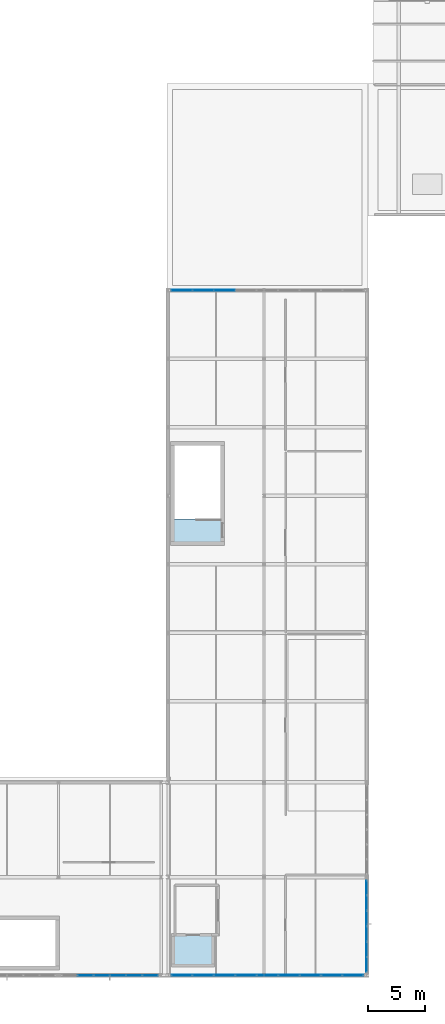
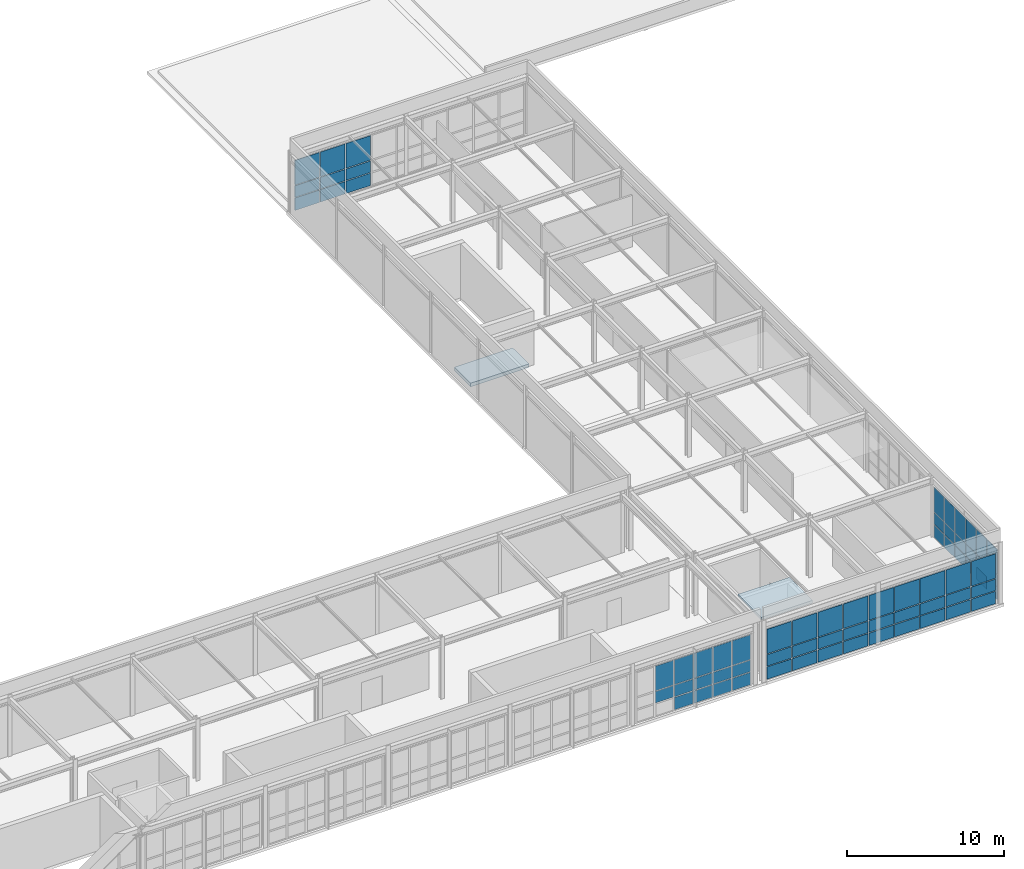
# One storey, part 31 of 38: 68 plates, 2 slabs, 4 elements without a shape of their own.
"""IFC4 building model written with IfcOpenShell, lengths in metres."""

from ifc_helpers import new_model, si_unit, direction, frame, origin, origin_2d, place, context, subcontext, project, spatial, polyline, rectangle, outline, extrude, material, layer, layer_set, type_object, element, aggregate, save


model = new_model("IFC4")

# Units and contexts
model_context = context("Model", 3, precision=1e-05, world=origin(), true_north=direction((0.0, 1.0)))
body_context = subcontext(model_context, "Body", "Model", "MODEL_VIEW")
ifc_project = project(units=[si_unit("LENGTHUNIT", "METRE"), si_unit("AREAUNIT", "SQUARE_METRE"), si_unit("VOLUMEUNIT", "CUBIC_METRE"), si_unit("PLANEANGLEUNIT", "RADIAN"), si_unit("MASSUNIT", "GRAM", prefix="KILO")], contexts=[model_context])

# Site, building, storey
site_placement = place(None, origin())
site = spatial("IfcSite", under=ifc_project, at=site_placement, CompositionType="ELEMENT")
building_placement = place(site_placement, origin())
building = spatial("IfcBuilding", under=site, at=building_placement, Name="Kaldris Quays Convention Centre", CompositionType="ELEMENT")
storey_placement = place(building_placement, frame((0.0, 0.0, 21.60009765625)))
storey = spatial("IfcBuildingStorey", under=building, at=storey_placement, Name="L04", CompositionType="ELEMENT", Elevation=21.60009765625)

# Curtain wall, plates
ifc_material_1 = material(Name="Anodized aluminium AW-6060 and triple glazing", Category="aluminium")
curtain_wall_type_1 = type_object("IfcCurtainWallType", Name="UNITISED CURTAIN WALL CW04", PredefinedType="NOTDEFINED", material=ifc_material_1)
curtain_wall_1_placement = place(storey_placement, origin())
curtain_wall_1 = element("IfcCurtainWall", 1, at=curtain_wall_1_placement, inside=storey, type_object=curtain_wall_type_1, Name="L04 Unitised Curtain Wall CW04 149", PredefinedType="NOTDEFINED")
ifc_material_2 = material(Name="Triple low-E insulated glazing", Category="glass")
plate_type_1 = type_object("IfcPlateType", Name="CURTAIN GLAZING PANEL CWP5", PredefinedType="CURTAIN_PANEL", material=ifc_material_2)
plate_1_placement = place(storey_placement, frame((164.0, 38.93994140625, 0.059814453125), z_axis=(0.0, 0.0, 1.0), x_axis=(0.0, 1.0, 0.0)))
plate_1 = element("IfcPlate", 2, at=plate_1_placement, type_object=plate_type_1, Name="CW04 panel 1.1", PredefinedType="CURTAIN_PANEL", context=body_context, shape_type="SweptSolid", body=[
    extrude(rectangle(XDim=1.260009765625, YDim=0.049072265625, at=origin_2d()), origin(), (0.0, 0.0, 1.0), 0.9599609375),
])
plate_2_placement = place(storey_placement, frame((164.0, 38.93994140625, 1.080078125), z_axis=(0.0, 0.0, 1.0), x_axis=(0.0, 1.0, 0.0)))
plate_2 = element("IfcPlate", 3, at=plate_2_placement, type_object=plate_type_1, Name="CW04 panel 1.2", PredefinedType="CURTAIN_PANEL", context=body_context, shape_type="SweptSolid", body=[
    extrude(rectangle(XDim=1.260009765625, YDim=0.049072265625, at=origin_2d()), origin(), (0.0, 0.0, 1.0), 0.889892578125),
])
plate_3_placement = place(storey_placement, frame((164.0, 38.93994140625, 2.02978515625), z_axis=(0.0, 0.0, 1.0), x_axis=(0.0, 1.0, 0.0)))
plate_3 = element("IfcPlate", 4, at=plate_3_placement, type_object=plate_type_1, Name="CW04 panel 1.3", PredefinedType="CURTAIN_PANEL", context=body_context, shape_type="SweptSolid", body=[
    extrude(rectangle(XDim=1.260009765625, YDim=0.049072265625, at=origin_2d()), origin(), (0.0, 0.0, 1.0), 1.909912109375),
])
plate_4_placement = place(storey_placement, frame((164.0, 40.27490234375, 0.059814453125), z_axis=(0.0, 0.0, 1.0), x_axis=(0.0, 1.0, 0.0)))
plate_4 = element("IfcPlate", 5, at=plate_4_placement, type_object=plate_type_1, Name="CW04 panel 2.1", PredefinedType="CURTAIN_PANEL", context=body_context, shape_type="SweptSolid", body=[
    extrude(rectangle(XDim=1.2900390625, YDim=0.049072265625, at=origin_2d()), origin(), (0.0, 0.0, 1.0), 0.9599609375),
])
plate_5_placement = place(storey_placement, frame((164.0, 40.27490234375, 1.080078125), z_axis=(0.0, 0.0, 1.0), x_axis=(0.0, 1.0, 0.0)))
plate_5 = element("IfcPlate", 6, at=plate_5_placement, type_object=plate_type_1, Name="CW04 panel 2.2", PredefinedType="CURTAIN_PANEL", context=body_context, shape_type="SweptSolid", body=[
    extrude(rectangle(XDim=1.2900390625, YDim=0.049072265625, at=origin_2d()), origin(), (0.0, 0.0, 1.0), 0.889892578125),
])
plate_6_placement = place(storey_placement, frame((164.0, 40.27490234375, 2.02978515625), z_axis=(0.0, 0.0, 1.0), x_axis=(0.0, 1.0, 0.0)))
plate_6 = element("IfcPlate", 7, at=plate_6_placement, type_object=plate_type_1, Name="CW04 panel 2.3", PredefinedType="CURTAIN_PANEL", context=body_context, shape_type="SweptSolid", body=[
    extrude(rectangle(XDim=1.2900390625, YDim=0.049072265625, at=origin_2d()), origin(), (0.0, 0.0, 1.0), 1.909912109375),
])
plate_7_placement = place(storey_placement, frame((164.0, 41.625, 0.059814453125), z_axis=(0.0, 0.0, 1.0), x_axis=(0.0, 1.0, 0.0)))
plate_7 = element("IfcPlate", 8, at=plate_7_placement, type_object=plate_type_1, Name="CW04 panel 3.1", PredefinedType="CURTAIN_PANEL", context=body_context, shape_type="SweptSolid", body=[
    extrude(rectangle(XDim=1.2900390625, YDim=0.049072265625, at=origin_2d()), origin(), (0.0, 0.0, 1.0), 0.9599609375),
])
plate_8_placement = place(storey_placement, frame((164.0, 41.625, 1.080078125), z_axis=(0.0, 0.0, 1.0), x_axis=(0.0, 1.0, 0.0)))
plate_8 = element("IfcPlate", 9, at=plate_8_placement, type_object=plate_type_1, Name="CW04 panel 3.2", PredefinedType="CURTAIN_PANEL", context=body_context, shape_type="SweptSolid", body=[
    extrude(rectangle(XDim=1.2900390625, YDim=0.049072265625, at=origin_2d()), origin(), (0.0, 0.0, 1.0), 0.889892578125),
])
plate_9_placement = place(storey_placement, frame((164.0, 41.625, 2.02978515625), z_axis=(0.0, 0.0, 1.0), x_axis=(0.0, 1.0, 0.0)))
plate_9 = element("IfcPlate", 10, at=plate_9_placement, type_object=plate_type_1, Name="CW04 panel 3.3", PredefinedType="CURTAIN_PANEL", context=body_context, shape_type="SweptSolid", body=[
    extrude(rectangle(XDim=1.2900390625, YDim=0.049072265625, at=origin_2d()), origin(), (0.0, 0.0, 1.0), 1.909912109375),
])
plate_10_placement = place(storey_placement, frame((164.0, 42.97509765625, 0.059814453125), z_axis=(0.0, 0.0, 1.0), x_axis=(0.0, 1.0, 0.0)))
plate_10 = element("IfcPlate", 11, at=plate_10_placement, type_object=plate_type_1, Name="CW04 panel 4.1", PredefinedType="CURTAIN_PANEL", context=body_context, shape_type="SweptSolid", body=[
    extrude(rectangle(XDim=1.2900390625, YDim=0.049072265625, at=origin_2d()), origin(), (0.0, 0.0, 1.0), 0.9599609375),
])
plate_11_placement = place(storey_placement, frame((164.0, 42.97509765625, 1.080078125), z_axis=(0.0, 0.0, 1.0), x_axis=(0.0, 1.0, 0.0)))
plate_11 = element("IfcPlate", 12, at=plate_11_placement, type_object=plate_type_1, Name="CW04 panel 4.2", PredefinedType="CURTAIN_PANEL", context=body_context, shape_type="SweptSolid", body=[
    extrude(rectangle(XDim=1.2900390625, YDim=0.049072265625, at=origin_2d()), origin(), (0.0, 0.0, 1.0), 0.889892578125),
])
plate_12_placement = place(storey_placement, frame((164.0, 42.97509765625, 2.02978515625), z_axis=(0.0, 0.0, 1.0), x_axis=(0.0, 1.0, 0.0)))
plate_12 = element("IfcPlate", 13, at=plate_12_placement, type_object=plate_type_1, Name="CW04 panel 4.3", PredefinedType="CURTAIN_PANEL", context=body_context, shape_type="SweptSolid", body=[
    extrude(rectangle(XDim=1.2900390625, YDim=0.049072265625, at=origin_2d()), origin(), (0.0, 0.0, 1.0), 1.909912109375),
])
plate_13_placement = place(storey_placement, frame((164.0, 44.324951171875, 0.059814453125), z_axis=(0.0, 0.0, 1.0), x_axis=(0.0, 1.0, 0.0)))
plate_13 = element("IfcPlate", 14, at=plate_13_placement, type_object=plate_type_1, Name="CW04 panel 5.1", PredefinedType="CURTAIN_PANEL", context=body_context, shape_type="SweptSolid", body=[
    extrude(rectangle(XDim=1.2900390625, YDim=0.049072265625, at=origin_2d()), origin(), (0.0, 0.0, 1.0), 0.9599609375),
])
plate_14_placement = place(storey_placement, frame((164.0, 44.324951171875, 1.080078125), z_axis=(0.0, 0.0, 1.0), x_axis=(0.0, 1.0, 0.0)))
plate_14 = element("IfcPlate", 15, at=plate_14_placement, type_object=plate_type_1, Name="CW04 panel 5.2", PredefinedType="CURTAIN_PANEL", context=body_context, shape_type="SweptSolid", body=[
    extrude(rectangle(XDim=1.2900390625, YDim=0.049072265625, at=origin_2d()), origin(), (0.0, 0.0, 1.0), 0.889892578125),
])
plate_15_placement = place(storey_placement, frame((164.0, 44.324951171875, 2.02978515625), z_axis=(0.0, 0.0, 1.0), x_axis=(0.0, 1.0, 0.0)))
plate_15 = element("IfcPlate", 16, at=plate_15_placement, type_object=plate_type_1, Name="CW04 panel 5.3", PredefinedType="CURTAIN_PANEL", context=body_context, shape_type="SweptSolid", body=[
    extrude(rectangle(XDim=1.2900390625, YDim=0.049072265625, at=origin_2d()), origin(), (0.0, 0.0, 1.0), 1.909912109375),
])
plate_16_placement = place(storey_placement, frame((164.0, 45.659912109375, 0.059814453125), z_axis=(0.0, 0.0, 1.0), x_axis=(0.0, 1.0, 0.0)))
plate_16 = element("IfcPlate", 17, at=plate_16_placement, type_object=plate_type_1, Name="CW04 panel 6.1", PredefinedType="CURTAIN_PANEL", context=body_context, shape_type="SweptSolid", body=[
    extrude(rectangle(XDim=1.260009765625, YDim=0.049072265625, at=origin_2d()), origin(), (0.0, 0.0, 1.0), 0.9599609375),
])
plate_17_placement = place(storey_placement, frame((164.0, 45.659912109375, 1.080078125), z_axis=(0.0, 0.0, 1.0), x_axis=(0.0, 1.0, 0.0)))
plate_17 = element("IfcPlate", 18, at=plate_17_placement, type_object=plate_type_1, Name="CW04 panel 6.2", PredefinedType="CURTAIN_PANEL", context=body_context, shape_type="SweptSolid", body=[
    extrude(rectangle(XDim=1.260009765625, YDim=0.049072265625, at=origin_2d()), origin(), (0.0, 0.0, 1.0), 0.889892578125),
])
plate_18_placement = place(storey_placement, frame((164.0, 45.659912109375, 2.02978515625), z_axis=(0.0, 0.0, 1.0), x_axis=(0.0, 1.0, 0.0)))
plate_18 = element("IfcPlate", 19, at=plate_18_placement, type_object=plate_type_1, Name="CW04 panel 6.3", PredefinedType="CURTAIN_PANEL", context=body_context, shape_type="SweptSolid", body=[
    extrude(rectangle(XDim=1.260009765625, YDim=0.049072265625, at=origin_2d()), origin(), (0.0, 0.0, 1.0), 1.909912109375),
])
aggregate(curtain_wall_1, [plate_1, plate_2, plate_3, plate_4, plate_5, plate_6, plate_7, plate_8, plate_9, plate_10, plate_11, plate_12, plate_13, plate_14, plate_15, plate_16, plate_17, plate_18])

curtain_wall_2_placement = place(storey_placement, origin())
curtain_wall_2 = element("IfcCurtainWall", 20, at=curtain_wall_2_placement, inside=storey, type_object=curtain_wall_type_1, Name="L04 Unitised Curtain Wall CW04 134", PredefinedType="NOTDEFINED")
plate_type_2 = type_object("IfcPlateType", Name="CURTAIN GLAZING PANEL CWP6", PredefinedType="CURTAIN_PANEL", material=ifc_material_2)
plate_19_placement = place(storey_placement, frame((139.375, 38.0, 1.080078125), z_axis=(0.0, 0.0, 1.0), x_axis=(1.0, 0.0, 0.0)))
plate_19 = element("IfcPlate", 21, at=plate_19_placement, type_object=plate_type_2, Name="CW04 panel 2.2", PredefinedType="CURTAIN_PANEL", context=body_context, shape_type="SweptSolid", body=[
    extrude(rectangle(XDim=1.356689453125, YDim=0.053955078125, at=origin_2d()), origin(), (0.0, 0.0, 1.0), 0.889892578125),
])
plate_20_placement = place(storey_placement, frame((139.375, 38.0, 2.02978515625), z_axis=(0.0, 0.0, 1.0), x_axis=(1.0, 0.0, 0.0)))
plate_20 = element("IfcPlate", 22, at=plate_20_placement, type_object=plate_type_2, Name="CW04 panel 2.3", PredefinedType="CURTAIN_PANEL", context=body_context, shape_type="SweptSolid", body=[
    extrude(rectangle(XDim=1.356689453125, YDim=0.053955078125, at=origin_2d()), origin(), (0.0, 0.0, 1.0), 1.909912109375),
])
plate_21_placement = place(storey_placement, frame((140.791748046875, 38.0, 0.059814453125), z_axis=(0.0, 0.0, 1.0), x_axis=(1.0, 0.0, 0.0)))
plate_21 = element("IfcPlate", 23, at=plate_21_placement, type_object=plate_type_2, Name="CW04 panel 3.1", PredefinedType="CURTAIN_PANEL", context=body_context, shape_type="SweptSolid", body=[
    extrude(rectangle(XDim=1.356689453125, YDim=0.053955078125, at=origin_2d()), origin(), (0.0, 0.0, 1.0), 0.9599609375),
])
plate_22_placement = place(storey_placement, frame((140.791748046875, 38.0, 1.080078125), z_axis=(0.0, 0.0, 1.0), x_axis=(1.0, 0.0, 0.0)))
plate_22 = element("IfcPlate", 24, at=plate_22_placement, type_object=plate_type_2, Name="CW04 panel 3.2", PredefinedType="CURTAIN_PANEL", context=body_context, shape_type="SweptSolid", body=[
    extrude(rectangle(XDim=1.356689453125, YDim=0.053955078125, at=origin_2d()), origin(), (0.0, 0.0, 1.0), 0.889892578125),
])
plate_23_placement = place(storey_placement, frame((140.791748046875, 38.0, 2.02978515625), z_axis=(0.0, 0.0, 1.0), x_axis=(1.0, 0.0, 0.0)))
plate_23 = element("IfcPlate", 25, at=plate_23_placement, type_object=plate_type_2, Name="CW04 panel 3.3", PredefinedType="CURTAIN_PANEL", context=body_context, shape_type="SweptSolid", body=[
    extrude(rectangle(XDim=1.356689453125, YDim=0.053955078125, at=origin_2d()), origin(), (0.0, 0.0, 1.0), 1.909912109375),
])
plate_24_placement = place(storey_placement, frame((142.208251953125, 38.0, 0.059814453125), z_axis=(0.0, 0.0, 1.0), x_axis=(1.0, 0.0, 0.0)))
plate_24 = element("IfcPlate", 26, at=plate_24_placement, type_object=plate_type_2, Name="CW04 panel 4.1", PredefinedType="CURTAIN_PANEL", context=body_context, shape_type="SweptSolid", body=[
    extrude(rectangle(XDim=1.356689453125, YDim=0.053955078125, at=origin_2d()), origin(), (0.0, 0.0, 1.0), 0.9599609375),
])
plate_25_placement = place(storey_placement, frame((142.208251953125, 38.0, 1.080078125), z_axis=(0.0, 0.0, 1.0), x_axis=(1.0, 0.0, 0.0)))
plate_25 = element("IfcPlate", 27, at=plate_25_placement, type_object=plate_type_2, Name="CW04 panel 4.2", PredefinedType="CURTAIN_PANEL", context=body_context, shape_type="SweptSolid", body=[
    extrude(rectangle(XDim=1.356689453125, YDim=0.053955078125, at=origin_2d()), origin(), (0.0, 0.0, 1.0), 0.889892578125),
])
plate_26_placement = place(storey_placement, frame((142.208251953125, 38.0, 2.02978515625), z_axis=(0.0, 0.0, 1.0), x_axis=(1.0, 0.0, 0.0)))
plate_26 = element("IfcPlate", 28, at=plate_26_placement, type_object=plate_type_2, Name="CW04 panel 4.3", PredefinedType="CURTAIN_PANEL", context=body_context, shape_type="SweptSolid", body=[
    extrude(rectangle(XDim=1.356689453125, YDim=0.053955078125, at=origin_2d()), origin(), (0.0, 0.0, 1.0), 1.909912109375),
])
plate_27_placement = place(storey_placement, frame((143.625, 38.0, 0.059814453125), z_axis=(0.0, 0.0, 1.0), x_axis=(1.0, 0.0, 0.0)))
plate_27 = element("IfcPlate", 29, at=plate_27_placement, type_object=plate_type_2, Name="CW04 panel 5.1", PredefinedType="CURTAIN_PANEL", context=body_context, shape_type="SweptSolid", body=[
    extrude(rectangle(XDim=1.356689453125, YDim=0.053955078125, at=origin_2d()), origin(), (0.0, 0.0, 1.0), 0.9599609375),
])
plate_28_placement = place(storey_placement, frame((143.625, 38.0, 1.080078125), z_axis=(0.0, 0.0, 1.0), x_axis=(1.0, 0.0, 0.0)))
plate_28 = element("IfcPlate", 30, at=plate_28_placement, type_object=plate_type_2, Name="CW04 panel 5.2", PredefinedType="CURTAIN_PANEL", context=body_context, shape_type="SweptSolid", body=[
    extrude(rectangle(XDim=1.356689453125, YDim=0.053955078125, at=origin_2d()), origin(), (0.0, 0.0, 1.0), 0.889892578125),
])
plate_29_placement = place(storey_placement, frame((143.625, 38.0, 2.02978515625), z_axis=(0.0, 0.0, 1.0), x_axis=(1.0, 0.0, 0.0)))
plate_29 = element("IfcPlate", 31, at=plate_29_placement, type_object=plate_type_2, Name="CW04 panel 5.3", PredefinedType="CURTAIN_PANEL", context=body_context, shape_type="SweptSolid", body=[
    extrude(rectangle(XDim=1.356689453125, YDim=0.053955078125, at=origin_2d()), origin(), (0.0, 0.0, 1.0), 1.909912109375),
])
plate_30_placement = place(storey_placement, frame((145.026611328125, 38.0, 0.059814453125), z_axis=(0.0, 0.0, 1.0), x_axis=(1.0, 0.0, 0.0)))
plate_30 = element("IfcPlate", 32, at=plate_30_placement, type_object=plate_type_2, Name="CW04 panel 6.1", PredefinedType="CURTAIN_PANEL", context=body_context, shape_type="SweptSolid", body=[
    extrude(rectangle(XDim=1.32666015625, YDim=0.053955078125, at=origin_2d()), origin(), (0.0, 0.0, 1.0), 0.9599609375),
])
plate_31_placement = place(storey_placement, frame((145.026611328125, 38.0, 1.080078125), z_axis=(0.0, 0.0, 1.0), x_axis=(1.0, 0.0, 0.0)))
plate_31 = element("IfcPlate", 33, at=plate_31_placement, type_object=plate_type_2, Name="CW04 panel 6.2", PredefinedType="CURTAIN_PANEL", context=body_context, shape_type="SweptSolid", body=[
    extrude(rectangle(XDim=1.32666015625, YDim=0.053955078125, at=origin_2d()), origin(), (0.0, 0.0, 1.0), 0.889892578125),
])
plate_32_placement = place(storey_placement, frame((145.026611328125, 38.0, 2.02978515625), z_axis=(0.0, 0.0, 1.0), x_axis=(1.0, 0.0, 0.0)))
plate_32 = element("IfcPlate", 34, at=plate_32_placement, type_object=plate_type_2, Name="CW04 panel 6.3", PredefinedType="CURTAIN_PANEL", context=body_context, shape_type="SweptSolid", body=[
    extrude(rectangle(XDim=1.32666015625, YDim=0.053955078125, at=origin_2d()), origin(), (0.0, 0.0, 1.0), 1.909912109375),
])
aggregate(curtain_wall_2, [plate_19, plate_20, plate_21, plate_22, plate_23, plate_24, plate_25, plate_26, plate_27, plate_28, plate_29, plate_30, plate_31, plate_32])

curtain_wall_type_2 = type_object("IfcCurtainWallType", Name="UNITISED CURTAIN WALL CW05", PredefinedType="NOTDEFINED", material=ifc_material_1)
curtain_wall_3_placement = place(storey_placement, origin())
curtain_wall_3 = element("IfcCurtainWall", 35, at=curtain_wall_3_placement, inside=storey, type_object=curtain_wall_type_2, Name="L04 Unitised Curtain Wall CW05 151", PredefinedType="NOTDEFINED")
plate_type_3 = type_object("IfcPlateType", Name="CURTAIN GLAZING PANEL CWP7", PredefinedType="CURTAIN_PANEL", material=ifc_material_2)
plate_33_placement = place(storey_placement, frame((147.803955078125, 98.0, 0.059814453125), z_axis=(0.0, 0.0, 1.0), x_axis=(1.0, 0.0, 0.0)))
plate_33 = element("IfcPlate", 36, at=plate_33_placement, type_object=plate_type_3, Name="CW05 panel 1.1", PredefinedType="CURTAIN_PANEL", context=body_context, shape_type="SweptSolid", body=[
    extrude(rectangle(XDim=1.787841796875, YDim=0.05908203125, at=origin_2d()), origin(), (0.0, 0.0, 1.0), 0.9599609375),
])
plate_34_placement = place(storey_placement, frame((147.803955078125, 98.0, 1.080078125), z_axis=(0.0, 0.0, 1.0), x_axis=(1.0, 0.0, 0.0)))
plate_34 = element("IfcPlate", 37, at=plate_34_placement, type_object=plate_type_3, Name="CW05 panel 1.2", PredefinedType="CURTAIN_PANEL", context=body_context, shape_type="SweptSolid", body=[
    extrude(rectangle(XDim=1.787841796875, YDim=0.05908203125, at=origin_2d()), origin(), (0.0, 0.0, 1.0), 0.889892578125),
])
plate_35_placement = place(storey_placement, frame((147.803955078125, 98.0, 2.02978515625), z_axis=(0.0, 0.0, 1.0), x_axis=(1.0, 0.0, 0.0)))
plate_35 = element("IfcPlate", 38, at=plate_35_placement, type_object=plate_type_3, Name="CW05 panel 1.3", PredefinedType="CURTAIN_PANEL", context=body_context, shape_type="SweptSolid", body=[
    extrude(rectangle(XDim=1.787841796875, YDim=0.05908203125, at=origin_2d()), origin(), (0.0, 0.0, 1.0), 1.909912109375),
])
plate_36_placement = place(storey_placement, frame((149.666748046875, 98.0, 0.059814453125), z_axis=(0.0, 0.0, 1.0), x_axis=(1.0, 0.0, 0.0)))
plate_36 = element("IfcPlate", 39, at=plate_36_placement, type_object=plate_type_3, Name="CW05 panel 2.1", PredefinedType="CURTAIN_PANEL", context=body_context, shape_type="SweptSolid", body=[
    extrude(rectangle(XDim=1.81787109375, YDim=0.05908203125, at=origin_2d()), origin(), (0.0, 0.0, 1.0), 0.9599609375),
])
plate_37_placement = place(storey_placement, frame((149.666748046875, 98.0, 1.080078125), z_axis=(0.0, 0.0, 1.0), x_axis=(1.0, 0.0, 0.0)))
plate_37 = element("IfcPlate", 40, at=plate_37_placement, type_object=plate_type_3, Name="CW05 panel 2.2", PredefinedType="CURTAIN_PANEL", context=body_context, shape_type="SweptSolid", body=[
    extrude(rectangle(XDim=1.81787109375, YDim=0.05908203125, at=origin_2d()), origin(), (0.0, 0.0, 1.0), 0.889892578125),
])
plate_38_placement = place(storey_placement, frame((149.666748046875, 98.0, 2.02978515625), z_axis=(0.0, 0.0, 1.0), x_axis=(1.0, 0.0, 0.0)))
plate_38 = element("IfcPlate", 41, at=plate_38_placement, type_object=plate_type_3, Name="CW05 panel 2.3", PredefinedType="CURTAIN_PANEL", context=body_context, shape_type="SweptSolid", body=[
    extrude(rectangle(XDim=1.81787109375, YDim=0.05908203125, at=origin_2d()), origin(), (0.0, 0.0, 1.0), 1.909912109375),
])
plate_39_placement = place(storey_placement, frame((151.54443359375, 98.0, 0.059814453125), z_axis=(0.0, 0.0, 1.0), x_axis=(1.0, 0.0, 0.0)))
plate_39 = element("IfcPlate", 42, at=plate_39_placement, type_object=plate_type_3, Name="CW05 panel 3.1", PredefinedType="CURTAIN_PANEL", context=body_context, shape_type="SweptSolid", body=[
    extrude(rectangle(XDim=1.81787109375, YDim=0.05908203125, at=origin_2d()), origin(), (0.0, 0.0, 1.0), 0.9599609375),
])
plate_40_placement = place(storey_placement, frame((151.54443359375, 98.0, 1.080078125), z_axis=(0.0, 0.0, 1.0), x_axis=(1.0, 0.0, 0.0)))
plate_40 = element("IfcPlate", 43, at=plate_40_placement, type_object=plate_type_3, Name="CW05 panel 3.2", PredefinedType="CURTAIN_PANEL", context=body_context, shape_type="SweptSolid", body=[
    extrude(rectangle(XDim=1.81787109375, YDim=0.05908203125, at=origin_2d()), origin(), (0.0, 0.0, 1.0), 0.889892578125),
])
plate_41_placement = place(storey_placement, frame((151.54443359375, 98.0, 2.02978515625), z_axis=(0.0, 0.0, 1.0), x_axis=(1.0, 0.0, 0.0)))
plate_41 = element("IfcPlate", 44, at=plate_41_placement, type_object=plate_type_3, Name="CW05 panel 3.3", PredefinedType="CURTAIN_PANEL", context=body_context, shape_type="SweptSolid", body=[
    extrude(rectangle(XDim=1.81787109375, YDim=0.05908203125, at=origin_2d()), origin(), (0.0, 0.0, 1.0), 1.909912109375),
])
aggregate(curtain_wall_3, [plate_33, plate_34, plate_35, plate_36, plate_37, plate_38, plate_39, plate_40, plate_41])

curtain_wall_4_placement = place(storey_placement, origin())
curtain_wall_4 = element("IfcCurtainWall", 45, at=curtain_wall_4_placement, inside=storey, type_object=curtain_wall_type_2, Name="L04 Unitised Curtain Wall CW05 152", PredefinedType="NOTDEFINED")
plate_type_4 = type_object("IfcPlateType", Name="CURTAIN GLAZING PANEL CWP8", PredefinedType="CURTAIN_PANEL", material=ifc_material_2)
plate_42_placement = place(storey_placement, frame((147.803955078125, 38.0, 0.059814453125), z_axis=(0.0, 0.0, 1.0), x_axis=(1.0, 0.0, 0.0)))
plate_42 = element("IfcPlate", 46, at=plate_42_placement, type_object=plate_type_4, Name="CW05 panel 1.1", PredefinedType="CURTAIN_PANEL", context=body_context, shape_type="SweptSolid", body=[
    extrude(rectangle(XDim=1.787841796875, YDim=0.06396484375, at=origin_2d()), origin(), (0.0, 0.0, 1.0), 0.9599609375),
])
plate_43_placement = place(storey_placement, frame((147.803955078125, 38.0, 1.080078125), z_axis=(0.0, 0.0, 1.0), x_axis=(1.0, 0.0, 0.0)))
plate_43 = element("IfcPlate", 47, at=plate_43_placement, type_object=plate_type_4, Name="CW05 panel 1.2", PredefinedType="CURTAIN_PANEL", context=body_context, shape_type="SweptSolid", body=[
    extrude(rectangle(XDim=1.787841796875, YDim=0.06396484375, at=origin_2d()), origin(), (0.0, 0.0, 1.0), 0.889892578125),
])
plate_44_placement = place(storey_placement, frame((147.803955078125, 38.0, 2.02978515625), z_axis=(0.0, 0.0, 1.0), x_axis=(1.0, 0.0, 0.0)))
plate_44 = element("IfcPlate", 48, at=plate_44_placement, type_object=plate_type_4, Name="CW05 panel 1.3", PredefinedType="CURTAIN_PANEL", context=body_context, shape_type="SweptSolid", body=[
    extrude(rectangle(XDim=1.787841796875, YDim=0.06396484375, at=origin_2d()), origin(), (0.0, 0.0, 1.0), 1.909912109375),
])
plate_45_placement = place(storey_placement, frame((149.666748046875, 38.0, 0.059814453125), z_axis=(0.0, 0.0, 1.0), x_axis=(1.0, 0.0, 0.0)))
plate_45 = element("IfcPlate", 49, at=plate_45_placement, type_object=plate_type_4, Name="CW05 panel 2.1", PredefinedType="CURTAIN_PANEL", context=body_context, shape_type="SweptSolid", body=[
    extrude(rectangle(XDim=1.81787109375, YDim=0.06396484375, at=origin_2d()), origin(), (0.0, 0.0, 1.0), 0.9599609375),
])
plate_46_placement = place(storey_placement, frame((149.666748046875, 38.0, 1.080078125), z_axis=(0.0, 0.0, 1.0), x_axis=(1.0, 0.0, 0.0)))
plate_46 = element("IfcPlate", 50, at=plate_46_placement, type_object=plate_type_4, Name="CW05 panel 2.2", PredefinedType="CURTAIN_PANEL", context=body_context, shape_type="SweptSolid", body=[
    extrude(rectangle(XDim=1.81787109375, YDim=0.06396484375, at=origin_2d()), origin(), (0.0, 0.0, 1.0), 0.889892578125),
])
plate_47_placement = place(storey_placement, frame((149.666748046875, 38.0, 2.02978515625), z_axis=(0.0, 0.0, 1.0), x_axis=(1.0, 0.0, 0.0)))
plate_47 = element("IfcPlate", 51, at=plate_47_placement, type_object=plate_type_4, Name="CW05 panel 2.3", PredefinedType="CURTAIN_PANEL", context=body_context, shape_type="SweptSolid", body=[
    extrude(rectangle(XDim=1.81787109375, YDim=0.06396484375, at=origin_2d()), origin(), (0.0, 0.0, 1.0), 1.909912109375),
])
plate_48_placement = place(storey_placement, frame((151.54443359375, 38.0, 0.059814453125), z_axis=(0.0, 0.0, 1.0), x_axis=(1.0, 0.0, 0.0)))
plate_48 = element("IfcPlate", 52, at=plate_48_placement, type_object=plate_type_4, Name="CW05 panel 3.1", PredefinedType="CURTAIN_PANEL", context=body_context, shape_type="SweptSolid", body=[
    extrude(rectangle(XDim=1.81787109375, YDim=0.06396484375, at=origin_2d()), origin(), (0.0, 0.0, 1.0), 0.9599609375),
])
plate_49_placement = place(storey_placement, frame((151.54443359375, 38.0, 1.080078125), z_axis=(0.0, 0.0, 1.0), x_axis=(1.0, 0.0, 0.0)))
plate_49 = element("IfcPlate", 53, at=plate_49_placement, type_object=plate_type_4, Name="CW05 panel 3.2", PredefinedType="CURTAIN_PANEL", context=body_context, shape_type="SweptSolid", body=[
    extrude(rectangle(XDim=1.81787109375, YDim=0.06396484375, at=origin_2d()), origin(), (0.0, 0.0, 1.0), 0.889892578125),
])
plate_50_placement = place(storey_placement, frame((151.54443359375, 38.0, 2.02978515625), z_axis=(0.0, 0.0, 1.0), x_axis=(1.0, 0.0, 0.0)))
plate_50 = element("IfcPlate", 54, at=plate_50_placement, type_object=plate_type_4, Name="CW05 panel 3.3", PredefinedType="CURTAIN_PANEL", context=body_context, shape_type="SweptSolid", body=[
    extrude(rectangle(XDim=1.81787109375, YDim=0.06396484375, at=origin_2d()), origin(), (0.0, 0.0, 1.0), 1.909912109375),
])
plate_51_placement = place(storey_placement, frame((153.422119140625, 38.0, 0.059814453125), z_axis=(0.0, 0.0, 1.0), x_axis=(1.0, 0.0, 0.0)))
plate_51 = element("IfcPlate", 55, at=plate_51_placement, type_object=plate_type_4, Name="CW05 panel 4.1", PredefinedType="CURTAIN_PANEL", context=body_context, shape_type="SweptSolid", body=[
    extrude(rectangle(XDim=1.81787109375, YDim=0.06396484375, at=origin_2d()), origin(), (0.0, 0.0, 1.0), 0.9599609375),
])
plate_52_placement = place(storey_placement, frame((153.422119140625, 38.0, 1.080078125), z_axis=(0.0, 0.0, 1.0), x_axis=(1.0, 0.0, 0.0)))
plate_52 = element("IfcPlate", 56, at=plate_52_placement, type_object=plate_type_4, Name="CW05 panel 4.2", PredefinedType="CURTAIN_PANEL", context=body_context, shape_type="SweptSolid", body=[
    extrude(rectangle(XDim=1.81787109375, YDim=0.06396484375, at=origin_2d()), origin(), (0.0, 0.0, 1.0), 0.889892578125),
])
plate_53_placement = place(storey_placement, frame((153.422119140625, 38.0, 2.02978515625), z_axis=(0.0, 0.0, 1.0), x_axis=(1.0, 0.0, 0.0)))
plate_53 = element("IfcPlate", 57, at=plate_53_placement, type_object=plate_type_4, Name="CW05 panel 4.3", PredefinedType="CURTAIN_PANEL", context=body_context, shape_type="SweptSolid", body=[
    extrude(rectangle(XDim=1.81787109375, YDim=0.06396484375, at=origin_2d()), origin(), (0.0, 0.0, 1.0), 1.909912109375),
])
plate_54_placement = place(storey_placement, frame((155.300048828125, 38.0, 0.059814453125), z_axis=(0.0, 0.0, 1.0), x_axis=(1.0, 0.0, 0.0)))
plate_54 = element("IfcPlate", 58, at=plate_54_placement, type_object=plate_type_4, Name="CW05 panel 5.1", PredefinedType="CURTAIN_PANEL", context=body_context, shape_type="SweptSolid", body=[
    extrude(rectangle(XDim=1.81787109375, YDim=0.06396484375, at=origin_2d()), origin(), (0.0, 0.0, 1.0), 0.9599609375),
])
plate_55_placement = place(storey_placement, frame((155.300048828125, 38.0, 1.080078125), z_axis=(0.0, 0.0, 1.0), x_axis=(1.0, 0.0, 0.0)))
plate_55 = element("IfcPlate", 59, at=plate_55_placement, type_object=plate_type_4, Name="CW05 panel 5.2", PredefinedType="CURTAIN_PANEL", context=body_context, shape_type="SweptSolid", body=[
    extrude(rectangle(XDim=1.81787109375, YDim=0.06396484375, at=origin_2d()), origin(), (0.0, 0.0, 1.0), 0.889892578125),
])
plate_56_placement = place(storey_placement, frame((155.300048828125, 38.0, 2.02978515625), z_axis=(0.0, 0.0, 1.0), x_axis=(1.0, 0.0, 0.0)))
plate_56 = element("IfcPlate", 60, at=plate_56_placement, type_object=plate_type_4, Name="CW05 panel 5.3", PredefinedType="CURTAIN_PANEL", context=body_context, shape_type="SweptSolid", body=[
    extrude(rectangle(XDim=1.81787109375, YDim=0.06396484375, at=origin_2d()), origin(), (0.0, 0.0, 1.0), 1.909912109375),
])
plate_57_placement = place(storey_placement, frame((157.177734375, 38.0, 0.059814453125), z_axis=(0.0, 0.0, 1.0), x_axis=(1.0, 0.0, 0.0)))
plate_57 = element("IfcPlate", 61, at=plate_57_placement, type_object=plate_type_4, Name="CW05 panel 6.1", PredefinedType="CURTAIN_PANEL", context=body_context, shape_type="SweptSolid", body=[
    extrude(rectangle(XDim=1.81787109375, YDim=0.06396484375, at=origin_2d()), origin(), (0.0, 0.0, 1.0), 0.9599609375),
])
plate_58_placement = place(storey_placement, frame((157.177734375, 38.0, 1.080078125), z_axis=(0.0, 0.0, 1.0), x_axis=(1.0, 0.0, 0.0)))
plate_58 = element("IfcPlate", 62, at=plate_58_placement, type_object=plate_type_4, Name="CW05 panel 6.2", PredefinedType="CURTAIN_PANEL", context=body_context, shape_type="SweptSolid", body=[
    extrude(rectangle(XDim=1.81787109375, YDim=0.06396484375, at=origin_2d()), origin(), (0.0, 0.0, 1.0), 0.889892578125),
])
plate_59_placement = place(storey_placement, frame((157.177734375, 38.0, 2.02978515625), z_axis=(0.0, 0.0, 1.0), x_axis=(1.0, 0.0, 0.0)))
plate_59 = element("IfcPlate", 63, at=plate_59_placement, type_object=plate_type_4, Name="CW05 panel 6.3", PredefinedType="CURTAIN_PANEL", context=body_context, shape_type="SweptSolid", body=[
    extrude(rectangle(XDim=1.81787109375, YDim=0.06396484375, at=origin_2d()), origin(), (0.0, 0.0, 1.0), 1.909912109375),
])
plate_60_placement = place(storey_placement, frame((159.0556640625, 38.0, 0.059814453125), z_axis=(0.0, 0.0, 1.0), x_axis=(1.0, 0.0, 0.0)))
plate_60 = element("IfcPlate", 64, at=plate_60_placement, type_object=plate_type_4, Name="CW05 panel 7.1", PredefinedType="CURTAIN_PANEL", context=body_context, shape_type="SweptSolid", body=[
    extrude(rectangle(XDim=1.81787109375, YDim=0.06396484375, at=origin_2d()), origin(), (0.0, 0.0, 1.0), 0.9599609375),
])
plate_61_placement = place(storey_placement, frame((159.0556640625, 38.0, 1.080078125), z_axis=(0.0, 0.0, 1.0), x_axis=(1.0, 0.0, 0.0)))
plate_61 = element("IfcPlate", 65, at=plate_61_placement, type_object=plate_type_4, Name="CW05 panel 7.2", PredefinedType="CURTAIN_PANEL", context=body_context, shape_type="SweptSolid", body=[
    extrude(rectangle(XDim=1.81787109375, YDim=0.06396484375, at=origin_2d()), origin(), (0.0, 0.0, 1.0), 0.889892578125),
])
plate_62_placement = place(storey_placement, frame((159.0556640625, 38.0, 2.02978515625), z_axis=(0.0, 0.0, 1.0), x_axis=(1.0, 0.0, 0.0)))
plate_62 = element("IfcPlate", 66, at=plate_62_placement, type_object=plate_type_4, Name="CW05 panel 7.3", PredefinedType="CURTAIN_PANEL", context=body_context, shape_type="SweptSolid", body=[
    extrude(rectangle(XDim=1.81787109375, YDim=0.06396484375, at=origin_2d()), origin(), (0.0, 0.0, 1.0), 1.909912109375),
])
plate_63_placement = place(storey_placement, frame((160.933349609375, 38.0, 0.059814453125), z_axis=(0.0, 0.0, 1.0), x_axis=(1.0, 0.0, 0.0)))
plate_63 = element("IfcPlate", 67, at=plate_63_placement, type_object=plate_type_4, Name="CW05 panel 8.1", PredefinedType="CURTAIN_PANEL", context=body_context, shape_type="SweptSolid", body=[
    extrude(rectangle(XDim=1.81787109375, YDim=0.06396484375, at=origin_2d()), origin(), (0.0, 0.0, 1.0), 0.9599609375),
])
plate_64_placement = place(storey_placement, frame((160.933349609375, 38.0, 1.080078125), z_axis=(0.0, 0.0, 1.0), x_axis=(1.0, 0.0, 0.0)))
plate_64 = element("IfcPlate", 68, at=plate_64_placement, type_object=plate_type_4, Name="CW05 panel 8.2", PredefinedType="CURTAIN_PANEL", context=body_context, shape_type="SweptSolid", body=[
    extrude(rectangle(XDim=1.81787109375, YDim=0.06396484375, at=origin_2d()), origin(), (0.0, 0.0, 1.0), 0.889892578125),
])
plate_65_placement = place(storey_placement, frame((160.933349609375, 38.0, 2.02978515625), z_axis=(0.0, 0.0, 1.0), x_axis=(1.0, 0.0, 0.0)))
plate_65 = element("IfcPlate", 69, at=plate_65_placement, type_object=plate_type_4, Name="CW05 panel 8.3", PredefinedType="CURTAIN_PANEL", context=body_context, shape_type="SweptSolid", body=[
    extrude(rectangle(XDim=1.81787109375, YDim=0.06396484375, at=origin_2d()), origin(), (0.0, 0.0, 1.0), 1.909912109375),
])
plate_66_placement = place(storey_placement, frame((162.796142578125, 38.0, 0.059814453125), z_axis=(0.0, 0.0, 1.0), x_axis=(1.0, 0.0, 0.0)))
plate_66 = element("IfcPlate", 70, at=plate_66_placement, type_object=plate_type_4, Name="CW05 panel 9.1", PredefinedType="CURTAIN_PANEL", context=body_context, shape_type="SweptSolid", body=[
    extrude(rectangle(XDim=1.787841796875, YDim=0.06396484375, at=origin_2d()), origin(), (0.0, 0.0, 1.0), 0.9599609375),
])
plate_67_placement = place(storey_placement, frame((162.796142578125, 38.0, 1.080078125), z_axis=(0.0, 0.0, 1.0), x_axis=(1.0, 0.0, 0.0)))
plate_67 = element("IfcPlate", 71, at=plate_67_placement, type_object=plate_type_4, Name="CW05 panel 9.2", PredefinedType="CURTAIN_PANEL", context=body_context, shape_type="SweptSolid", body=[
    extrude(rectangle(XDim=1.787841796875, YDim=0.06396484375, at=origin_2d()), origin(), (0.0, 0.0, 1.0), 0.889892578125),
])
plate_68_placement = place(storey_placement, frame((162.796142578125, 38.0, 2.02978515625), z_axis=(0.0, 0.0, 1.0), x_axis=(1.0, 0.0, 0.0)))
plate_68 = element("IfcPlate", 72, at=plate_68_placement, type_object=plate_type_4, Name="CW05 panel 9.3", PredefinedType="CURTAIN_PANEL", context=body_context, shape_type="SweptSolid", body=[
    extrude(rectangle(XDim=1.787841796875, YDim=0.06396484375, at=origin_2d()), origin(), (0.0, 0.0, 1.0), 1.909912109375),
])
aggregate(curtain_wall_4, [plate_42, plate_43, plate_44, plate_45, plate_46, plate_47, plate_48, plate_49, plate_50, plate_51, plate_52, plate_53, plate_54, plate_55, plate_56, plate_57, plate_58, plate_59, plate_60, plate_61, plate_62, plate_63, plate_64, plate_65, plate_66, plate_67, plate_68])

# Slabs
ifc_material_3 = material(Name="Concrete C35/45", Category="concrete")
ifc_layer_1 = layer(ifc_material_3, 0.27490234375)
ifc_layer_set_1 = layer_set([ifc_layer_1], Name="Concrete C35/45")
slab_type_1 = type_object("IfcSlabType", Name="STRUCTURAL SLAB FS05", PredefinedType="FLOOR", material=ifc_layer_set_1)
slab_1_placement = place(storey_placement, frame((0.0, 0.0, -0.275146484375)))
element("IfcSlab", 73, at=slab_1_placement, inside=storey, type_object=slab_type_1, Name="L04 ST14 Core Floor Landing Slab", PredefinedType="FLOOR", context=body_context, shape_type="SweptSolid", body=[
    extrude(outline(polyline([(151.320068359375, 75.8798828125), (151.320068359375, 77.949951171875), (147.030029296875, 77.949951171875), (147.030029296875, 75.8798828125), (151.320068359375, 75.8798828125)])), origin(), (0.0, 0.0, 1.0), 0.275146484375),
])
ifc_layer_2 = layer(ifc_material_3, 0.205078125)
ifc_layer_set_2 = layer_set([ifc_layer_2], Name="Concrete C35/45")
slab_type_2 = type_object("IfcSlabType", Name="STRUCTURAL SLAB RS01", PredefinedType="ROOF", material=ifc_layer_set_2)
slab_2_placement = place(storey_placement, frame((0.0, 0.0, 4.199951171875)))
element("IfcSlab", 74, at=slab_2_placement, inside=storey, type_object=slab_type_2, Name="FL02 Lift Overrun Cap Slab", PredefinedType="ROOF", context=body_context, shape_type="SweptSolid", body=[
    extrude(outline(polyline([(146.919921875, 38.719970703125), (150.679931640625, 38.719970703125), (150.679931640625, 41.679931640625), (146.919921875, 41.679931640625), (146.919921875, 38.719970703125)])), origin(), (0.0, 0.0, 1.0), 0.204833984375),
])

save(model, "model.ifc")
